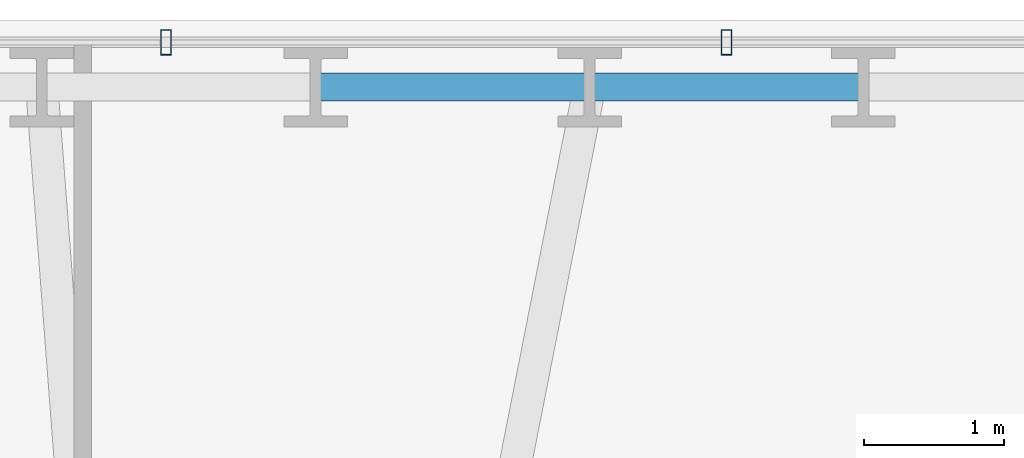
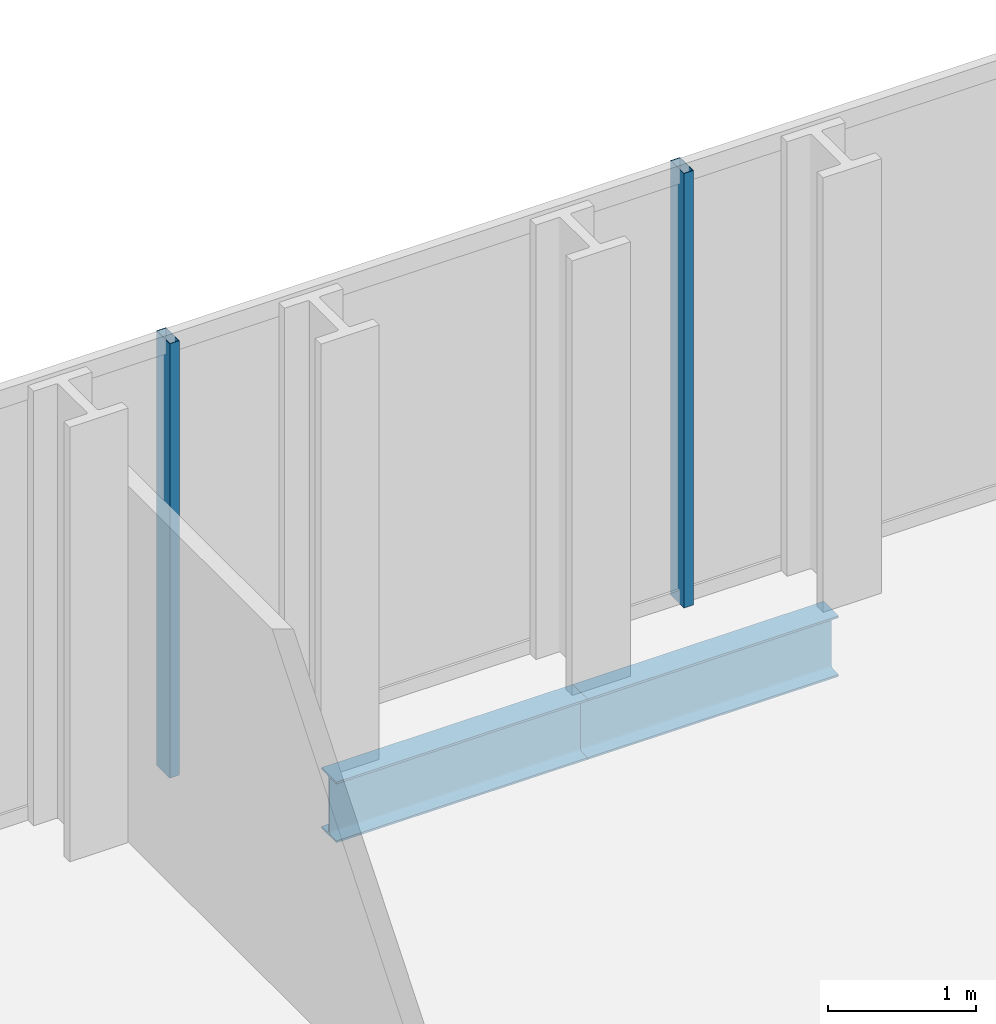
# One storey, part 22 of 32: 2 beams, 2 members, 1 element without a shape of its own.
"""IFC4 building model written with IfcOpenShell, lengths in metres."""

from ifc_helpers import new_model, si_unit, direction, frame, origin, origin_2d, place, context, subcontext, project, spatial, hollow_rectangle, i_section, extrude, material, layer, layer_set, material_profile, profile_set, type_object, element, aggregate, save


model = new_model("IFC4")

# Units and contexts
model_context = context("Model", 3, precision=1e-05, world=origin(), true_north=direction((0.0, 1.0)))
body_context = subcontext(model_context, "Body", "Model", "MODEL_VIEW")
ifc_project = project(units=[si_unit("LENGTHUNIT", "METRE"), si_unit("AREAUNIT", "SQUARE_METRE"), si_unit("VOLUMEUNIT", "CUBIC_METRE"), si_unit("PLANEANGLEUNIT", "RADIAN"), si_unit("MASSUNIT", "GRAM", prefix="KILO")], contexts=[model_context])

# Site, building, storey
site_placement = place(None, origin())
site = spatial("IfcSite", under=ifc_project, at=site_placement, CompositionType="ELEMENT")
building_placement = place(site_placement, origin())
building = spatial("IfcBuilding", under=site, at=building_placement, Name="Ndaravel Arena Tower", CompositionType="ELEMENT")
storey_placement = place(building_placement, frame((0.0, 0.0, 51.199951171875)))
storey = spatial("IfcBuildingStorey", under=building, at=storey_placement, Name="L10", CompositionType="ELEMENT", Elevation=51.199951171875)

# Beams
ifc_material_1 = material(Name="Steel S355", Category="steel")
ifc_material_profile_1 = material_profile(ifc_material_1, i_section(OverallWidth=0.199951171875, OverallDepth=0.5, WebThickness=0.01025390625, FlangeThickness=0.01611328125, FilletRadius=0.02099609375, at=origin_2d()), Name="IPE 500")
ifc_profile_set_1 = profile_set([ifc_material_profile_1], Name="Steel S355")
beam_type = type_object("IfcBeamType", Name="BM-SPAN-IPE500", PredefinedType="SPANDREL", material=ifc_profile_set_1)
beam_1_placement = place(storey_placement, frame((42.978515625, 45.531494140625, -0.469970703125), z_axis=(-1.0, 0.0, 0.0), x_axis=(0.0, -1.0, 0.0)))
element("IfcBeam", 1, at=beam_1_placement, inside=storey, type_object=beam_type, Name="L10 Perimeter Spandrel Beam SP-14", PredefinedType="SPANDREL", context=body_context, shape_type="SweptSolid", body=[
    extrude(i_section(OverallWidth=0.199951171875, OverallDepth=0.5, WebThickness=0.01025390625, FlangeThickness=0.01611328125, FilletRadius=0.02099609375, at=origin_2d()), origin(), (0.0, 0.0, 1.0), 1.95703125),
])
beam_2_placement = place(storey_placement, frame((41.021484375, 45.531494140625, -0.469970703125), z_axis=(-1.0, 0.0, 0.0), x_axis=(0.0, -1.0, 0.0)))
element("IfcBeam", 2, at=beam_2_placement, inside=storey, type_object=beam_type, Name="L10 Perimeter Spandrel Beam SP-15", PredefinedType="SPANDREL", context=body_context, shape_type="SweptSolid", body=[
    extrude(i_section(OverallWidth=0.199951171875, OverallDepth=0.5, WebThickness=0.01025390625, FlangeThickness=0.01611328125, FilletRadius=0.02099609375, at=origin_2d()), origin(), (0.0, 0.0, 1.0), 1.957275390625),
])

# Curtain wall, members
ifc_material_2 = material(Name="Aluminium", Category="aluminium")
ifc_layer = layer(ifc_material_2, 0.179931640625)
ifc_layer_set = layer_set([ifc_layer], Name="Aluminium")
curtain_wall_type = type_object("IfcCurtainWallType", Name="CW-SYS-01", PredefinedType="NOTDEFINED", material=ifc_layer_set)
curtain_wall_placement = place(storey_placement, origin())
curtain_wall = element("IfcCurtainWall", 3, at=curtain_wall_placement, inside=storey, type_object=curtain_wall_type, Name="L10 Faceted Crystal Curtain Wall CW-L10-E04", PredefinedType="NOTDEFINED")
ifc_material_3 = material(Name="Aluminium", Category="aluminium")
ifc_material_profile_2 = material_profile(ifc_material_3, hollow_rectangle(XDim=0.074951171875, YDim=0.179931640625, WallThickness=0.00390625, at=origin_2d()), Name="CW MULLION 75x180x4")
ifc_profile_set_2 = profile_set([ifc_material_profile_2], Name="Aluminium")
member_type = type_object("IfcMemberType", Name="MEM-CW-MUL180", PredefinedType="MULLION", material=ifc_profile_set_2)
member_1_placement = place(storey_placement, frame((42.0, 45.851318359375, 0.0), z_axis=(0.0, 0.0, 1.0), x_axis=(-1.0, 0.0, 0.0)))
member_1 = element("IfcMember", 4, at=member_1_placement, type_object=member_type, Name="CW-L10-E04 Mullion 02", PredefinedType="MULLION", context=body_context, shape_type="SweptSolid", body=[
    extrude(hollow_rectangle(XDim=0.074951171875, YDim=0.179931640625, WallThickness=0.00390625, at=origin_2d()), origin(), (0.0, 0.0, 1.0), 3.580078125),
])
member_2_placement = place(storey_placement, frame((37.993408203125, 45.851318359375, 0.0), z_axis=(0.0, 0.0, 1.0), x_axis=(-1.0, 0.0, 0.0)))
member_2 = element("IfcMember", 5, at=member_2_placement, type_object=member_type, Name="CW-L10-E04 Mullion 03", PredefinedType="MULLION", context=body_context, shape_type="SweptSolid", body=[
    extrude(hollow_rectangle(XDim=0.074951171875, YDim=0.179931640625, WallThickness=0.00390625, at=origin_2d()), origin(), (0.0, 0.0, 1.0), 3.580078125),
])
aggregate(curtain_wall, [member_1, member_2])

save(model, "model.ifc")
